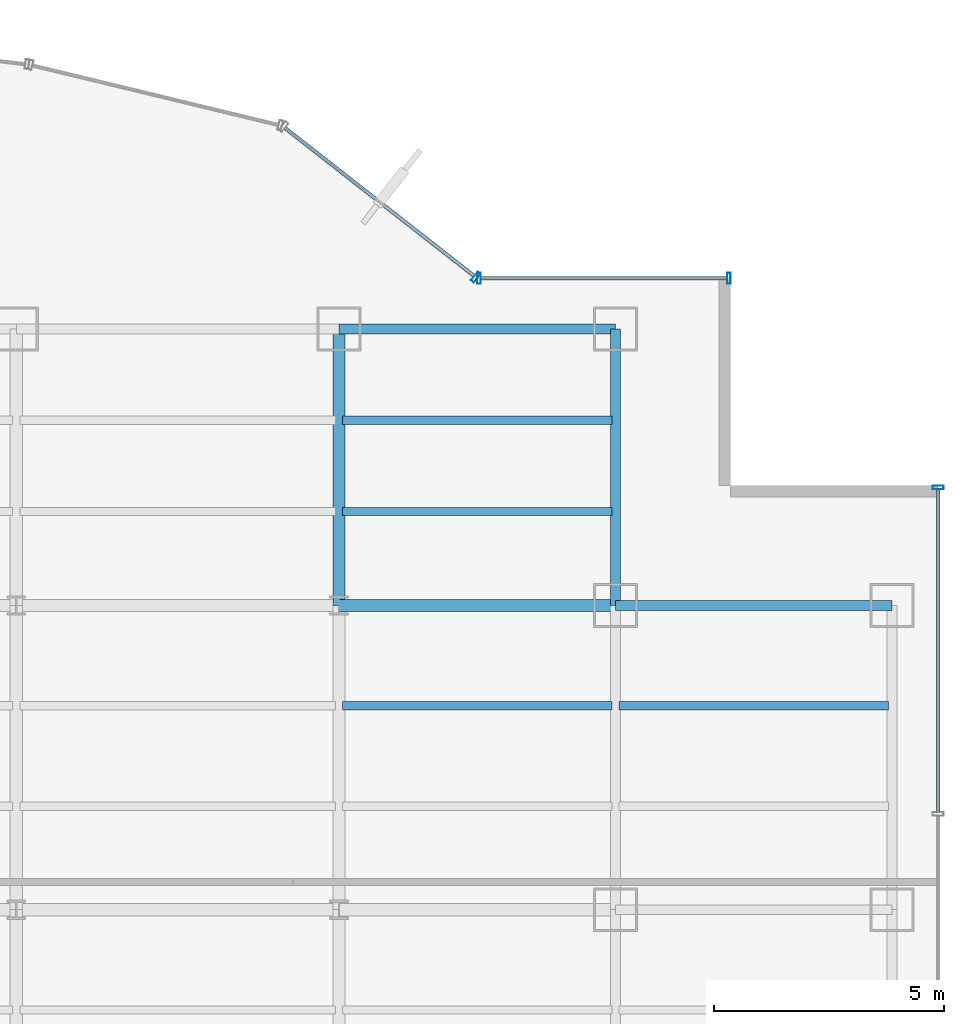
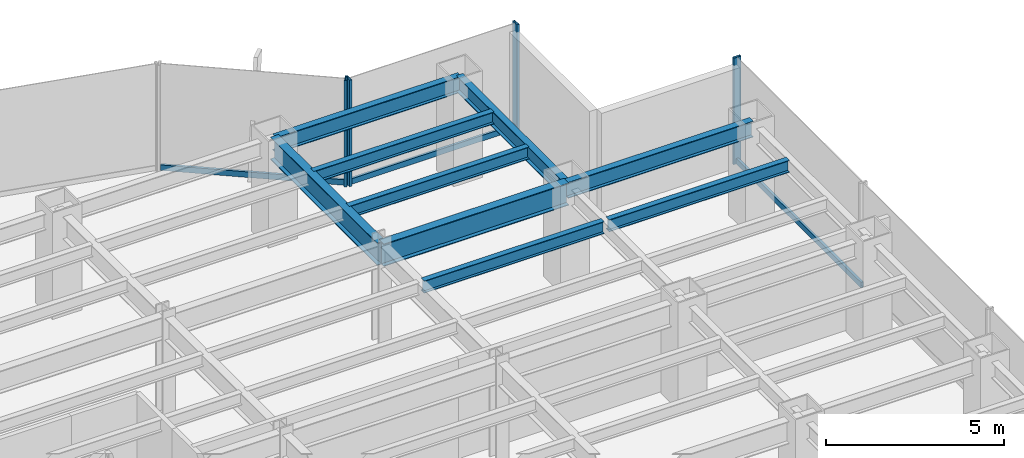
# One storey, part 16 of 23: 9 beams, 7 members, 3 elements without a shape of their own.
"""IFC4 building model written with IfcOpenShell, lengths in metres."""

from ifc_helpers import new_model, si_unit, derived_unit, direction, frame, origin, origin_2d, place, context, subcontext, project, spatial, hollow_rectangle, i_section, extrude, source, transform, mapped, material, material_profile, profile_set, type_object, element, aggregate, save


model = new_model("IFC4")

# Units and contexts
model_context = context("Model", 3, precision=1e-05, world=origin(), true_north=direction((0.0, 1.0)))
body_context = subcontext(model_context, "Body", "Model", "MODEL_VIEW")
ifc_project = project(units=[si_unit("LENGTHUNIT", "METRE"), si_unit("AREAUNIT", "SQUARE_METRE"), si_unit("VOLUMEUNIT", "CUBIC_METRE"), si_unit("PLANEANGLEUNIT", "RADIAN"), si_unit("MASSUNIT", "GRAM", prefix="KILO"), derived_unit("THERMALTRANSMITTANCEUNIT", [(si_unit("POWERUNIT", "WATT"), 1), (si_unit("LENGTHUNIT", "METRE"), -2), (si_unit("THERMODYNAMICTEMPERATUREUNIT", "KELVIN"), -1)])], contexts=[model_context])

# Site, building, storey
site_placement = place(None, origin())
site = spatial("IfcSite", under=ifc_project, at=site_placement, CompositionType="ELEMENT")
building_placement = place(site_placement, origin())
building = spatial("IfcBuilding", under=site, at=building_placement, Name="Skarnbrae Concourse Arena and Tower", CompositionType="ELEMENT")
storey_placement = place(building_placement, frame((0.0, 0.0, 54.39990234375)))
storey = spatial("IfcBuildingStorey", under=building, at=storey_placement, Name="L12", CompositionType="ELEMENT", Elevation=54.39990234375)

# Beams
ifc_material_1 = material(Name="Steel CSA G40.21 350W", Category="steel")
ifc_material_profile_1 = material_profile(ifc_material_1, i_section(OverallWidth=0.214111328125, OverallDepth=0.549072265625, WebThickness=0.0146484375, FlangeThickness=0.023681640625, at=origin_2d()), Name="W530X138")
ifc_profile_set_1 = profile_set([ifc_material_profile_1], Name="Steel CSA G40.21 350W")
beam_type_1 = type_object("IfcBeamType", Name="BM-SPAN-W530X138", PredefinedType="SPANDREL", material=ifc_profile_set_1)
shared_shape_1 = source(origin(), body_context, "Body", "SweptSolid", [
    extrude(i_section(OverallWidth=0.214111328125, OverallDepth=0.549072265625, WebThickness=0.0146484375, FlangeThickness=0.023681640625, at=origin_2d()), origin(), (0.0, 0.0, 1.0), 6.0),
])
for number, where, z_axis, x_axis, name in (
    (1, (55.0, 34.39990234375, 3.12548828125), (1.0, 0.0, 0.0), (0.0, 1.0, 0.0), "L12 Perimeter spandrel Y34.4-9"),
    (2, (49.0, 40.39990234375, 3.12548828125), (1.0, 0.0, 0.0), (0.0, 1.0, 0.0), "L12 Perimeter spandrel Y40.4-7"),
    (3, (55.0, 34.39990234375, 3.12548828125), (0.0, 1.0, 0.0), (-1.0, 0.0, 0.0), "L12 Perimeter spandrel X55.0-5"),
):
    element("IfcBeam", number, at=place(storey_placement, frame(where, z_axis=z_axis, x_axis=x_axis)), inside=storey, type_object=beam_type_1, Name=name, PredefinedType="SPANDREL", context=body_context, shape_type="MappedRepresentation", body=[
        mapped(shared_shape_1, transform((0.0, 0.0, 0.0))),
    ])
ifc_material_profile_2 = material_profile(ifc_material_1, i_section(OverallWidth=0.26806640625, OverallDepth=0.77001953125, WebThickness=0.015625, FlangeThickness=0.025390625, at=origin_2d()), Name="W760X196")
ifc_profile_set_2 = profile_set([ifc_material_profile_2], Name="Steel CSA G40.21 350W")
beam_type_2 = type_object("IfcBeamType", Name="BM-GIRD-W760X196", PredefinedType="BEAM", material=ifc_profile_set_2)
shared_shape_2 = source(origin(), body_context, "Body", "SweptSolid", [
    extrude(i_section(OverallWidth=0.26806640625, OverallDepth=0.77001953125, WebThickness=0.015625, FlangeThickness=0.025390625, at=origin_2d()), origin(), (0.0, 0.0, 1.0), 6.0),
])
for number, where, z_axis, x_axis, name in (
    (4, (49.0, 34.39990234375, 3.01513671875), (1.0, 0.0, 0.0), (0.0, 1.0, 0.0), "L12 Primary E-W girder Y34.4-8"),
    (5, (49.0, 34.39990234375, 3.01513671875), (0.0, 1.0, 0.0), (-1.0, 0.0, 0.0), "L12 Primary N-S girder X49.0-5"),
):
    element("IfcBeam", number, at=place(storey_placement, frame(where, z_axis=z_axis, x_axis=x_axis)), inside=storey, type_object=beam_type_2, Name=name, PredefinedType="BEAM", context=body_context, shape_type="MappedRepresentation", body=[
        mapped(shared_shape_2, transform((0.0, 0.0, 0.0))),
    ])
ifc_material_profile_3 = material_profile(ifc_material_1, i_section(OverallWidth=0.180908203125, OverallDepth=0.4169921875, WebThickness=0.010986328125, FlangeThickness=0.018310546875, at=origin_2d()), Name="W410X85")
ifc_profile_set_3 = profile_set([ifc_material_profile_3], Name="Steel CSA G40.21 350W")
beam_type_3 = type_object("IfcBeamType", Name="BM-JOIST-W410X85", PredefinedType="JOIST", material=ifc_profile_set_3)
shared_shape_3 = source(origin(), body_context, "Body", "SweptSolid", [
    extrude(i_section(OverallWidth=0.180908203125, OverallDepth=0.4169921875, WebThickness=0.010986328125, FlangeThickness=0.018310546875, at=origin_2d()), origin(), (0.0, 0.0, 1.0), 5.83984375),
])
for number, where, z_axis, x_axis, name in (
    (6, (49.080078125, 32.221923828125, 3.191650390625), (1.0, 0.0, 0.0), (0.0, 1.0, 0.0), "L12 Secondary floor joist 3.2.8"),
    (7, (55.080078125, 32.221923828125, 3.191650390625), (1.0, 0.0, 0.0), (0.0, 1.0, 0.0), "L12 Secondary floor joist 3.2.9"),
    (8, (49.080078125, 36.43994140625, 3.191650390625), (1.0, 0.0, 0.0), (0.0, 1.0, 0.0), "L12 Secondary floor joist 4.1.7"),
    (9, (49.080078125, 38.419921875, 3.191650390625), (1.0, 0.0, 0.0), (0.0, 1.0, 0.0), "L12 Secondary floor joist 4.2.7"),
):
    element("IfcBeam", number, at=place(storey_placement, frame(where, z_axis=z_axis, x_axis=x_axis)), inside=storey, type_object=beam_type_3, Name=name, PredefinedType="JOIST", context=body_context, shape_type="MappedRepresentation", body=[
        mapped(shared_shape_3, transform((0.0, 0.0, 0.0))),
    ])

# Curtain wall, member
ifc_material_2 = material(Name="Bronze anodised aluminium 6063-T6", Category="aluminium")
curtain_wall_type = type_object("IfcCurtainWallType", Name="CW-SYS-02-LOWZONE", PredefinedType="USERDEFINED", material=ifc_material_2)
curtain_wall_1_placement = place(storey_placement, origin())
curtain_wall_1 = element("IfcCurtainWall", 10, at=curtain_wall_1_placement, inside=storey, type_object=curtain_wall_type, Name="L12 Unitised curtain wall CW-L12-E04", ObjectType="UNITISED CURTAIN WALL", PredefinedType="USERDEFINED")
ifc_material_profile_4 = material_profile(ifc_material_2, hollow_rectangle(XDim=0.080078125, YDim=0.18994140625, WallThickness=0.0048828125, at=origin_2d()), Name="ALU-TRAN-80X190")
ifc_profile_set_4 = profile_set([ifc_material_profile_4], Name="Bronze anodised aluminium 6063-T6")
member_type_1 = type_object("IfcMemberType", Name="CWT-CW-02", PredefinedType="USERDEFINED", material=ifc_profile_set_4)
shared_shape_4 = source(origin(), body_context, "Body", "SweptSolid", [
    extrude(hollow_rectangle(XDim=0.080078125, YDim=0.18994140625, WallThickness=0.0048828125, at=origin_2d()), origin(), (0.0, 0.0, 1.0), 7.0048828125),
])
member_1_placement = place(storey_placement, frame((62.0, 29.9150390625, 0.09521484375), z_axis=(0.0, 1.0, 0.0), x_axis=(-1.0, 0.0, 0.0)))
member_1 = element("IfcMember", 11, at=member_1_placement, type_object=member_type_1, Name="CW-L12-E04 Transom 4", ObjectType="TRANSOM", PredefinedType="USERDEFINED", context=body_context, shape_type="MappedRepresentation", body=[
    mapped(shared_shape_4, transform((0.0, 0.0, 0.0))),
])

curtain_wall_2_placement = place(storey_placement, origin())
curtain_wall_2 = element("IfcCurtainWall", 12, at=curtain_wall_2_placement, inside=storey, type_object=curtain_wall_type, Name="L12 Unitised curtain wall CW-L12-E07", ObjectType="UNITISED CURTAIN WALL", PredefinedType="USERDEFINED")
shared_shape_5 = source(origin(), body_context, "Body", "SweptSolid", [
    extrude(hollow_rectangle(XDim=0.080078125, YDim=0.18994140625, WallThickness=0.0048828125, at=origin_2d()), origin(), (0.0, 0.0, 1.0), 5.33984375),
])
member_2_placement = place(storey_placement, frame((57.419921875, 41.5, 0.09521484375), z_axis=(-1.0, 0.0, 0.0), x_axis=(0.0, -1.0, 0.0)))
member_2 = element("IfcMember", 13, at=member_2_placement, type_object=member_type_1, Name="CW-L12-E07 Transom 1", ObjectType="TRANSOM", PredefinedType="USERDEFINED", context=body_context, shape_type="MappedRepresentation", body=[
    mapped(shared_shape_5, transform((0.0, 0.0, 0.0))),
])

curtain_wall_3_placement = place(storey_placement, origin())
curtain_wall_3 = element("IfcCurtainWall", 14, at=curtain_wall_3_placement, inside=storey, type_object=curtain_wall_type, Name="L12 Unitised curtain wall CW-L12-E08", ObjectType="UNITISED CURTAIN WALL", PredefinedType="USERDEFINED")
shared_shape_6 = source(origin(), body_context, "Body", "SweptSolid", [
    extrude(hollow_rectangle(XDim=0.080078125, YDim=0.18994140625, WallThickness=0.0048828125, at=origin_2d()), origin(), (0.0, 0.0, 1.0), 5.215087890625),
])
member_3_placement = place(storey_placement, frame((51.93701171875, 41.54931640625, 0.09521484375), z_axis=(-0.787650196702, 0.616122688784, 0.0), x_axis=(-0.616122688784, -0.787650196702, 0.0)))
member_3 = element("IfcMember", 15, at=member_3_placement, type_object=member_type_1, Name="CW-L12-E08 Transom 1", ObjectType="TRANSOM", PredefinedType="USERDEFINED", context=body_context, shape_type="MappedRepresentation", body=[
    mapped(shared_shape_6, transform((0.0, 0.0, 0.0))),
])

# Member
ifc_material_profile_5 = material_profile(ifc_material_2, hollow_rectangle(XDim=0.080078125, YDim=0.239990234375, WallThickness=0.0048828125, at=origin_2d()), Name="ALU-MULL-80X240")
ifc_profile_set_5 = profile_set([ifc_material_profile_5], Name="Bronze anodised aluminium 6063-T6")
member_type_2 = type_object("IfcMemberType", Name="CWM-CW-02", PredefinedType="MULLION", material=ifc_profile_set_5)
shared_shape_7 = source(origin(), body_context, "Body", "SweptSolid", [
    extrude(hollow_rectangle(XDim=0.080078125, YDim=0.239990234375, WallThickness=0.0048828125, at=origin_2d()), origin(), (0.0, 0.0, 1.0), 3.650146484375),
])
member_4_placement = place(storey_placement, frame((62.0, 36.9599609375, 0.0), z_axis=(0.0, 0.0, 1.0), x_axis=(0.0, 1.0, 0.0)))
member_4 = element("IfcMember", 16, at=member_4_placement, type_object=member_type_2, Name="CW-L12-E04 Mullion 5", PredefinedType="MULLION", context=body_context, shape_type="MappedRepresentation", body=[
    mapped(shared_shape_7, transform((0.0, 0.0, 0.0))),
])

aggregate(curtain_wall_1, [member_4, member_1])

member_5_placement = place(storey_placement, frame((57.4599609375, 41.5, 0.0), z_axis=(0.0, 0.0, 1.0), x_axis=(-1.0, 0.0, 0.0)))
member_5 = element("IfcMember", 17, at=member_5_placement, type_object=member_type_2, Name="CW-L12-E07 Mullion 1", PredefinedType="MULLION", context=body_context, shape_type="MappedRepresentation", body=[
    mapped(shared_shape_7, transform((0.0, 0.0, 0.0))),
])

member_6_placement = place(storey_placement, frame((52.0400390625, 41.5, 0.0), z_axis=(0.0, 0.0, 1.0), x_axis=(-1.0, 0.0, 0.0)))
member_6 = element("IfcMember", 18, at=member_6_placement, type_object=member_type_2, Name="CW-L12-E07 Mullion 2", PredefinedType="MULLION", context=body_context, shape_type="MappedRepresentation", body=[
    mapped(shared_shape_7, transform((0.0, 0.0, 0.0))),
])

aggregate(curtain_wall_2, [member_5, member_6, member_2])

member_7_placement = place(storey_placement, frame((51.968505859375, 41.524658203125, 0.0), z_axis=(0.0, 0.0, 1.0), x_axis=(-0.787651726054, 0.616120733658, 0.0)))
member_7 = element("IfcMember", 19, at=member_7_placement, type_object=member_type_2, Name="CW-L12-E08 Mullion 1", PredefinedType="MULLION", context=body_context, shape_type="MappedRepresentation", body=[
    mapped(shared_shape_7, transform((0.0, 0.0, 0.0))),
])

aggregate(curtain_wall_3, [member_7, member_3])

save(model, "model.ifc")
